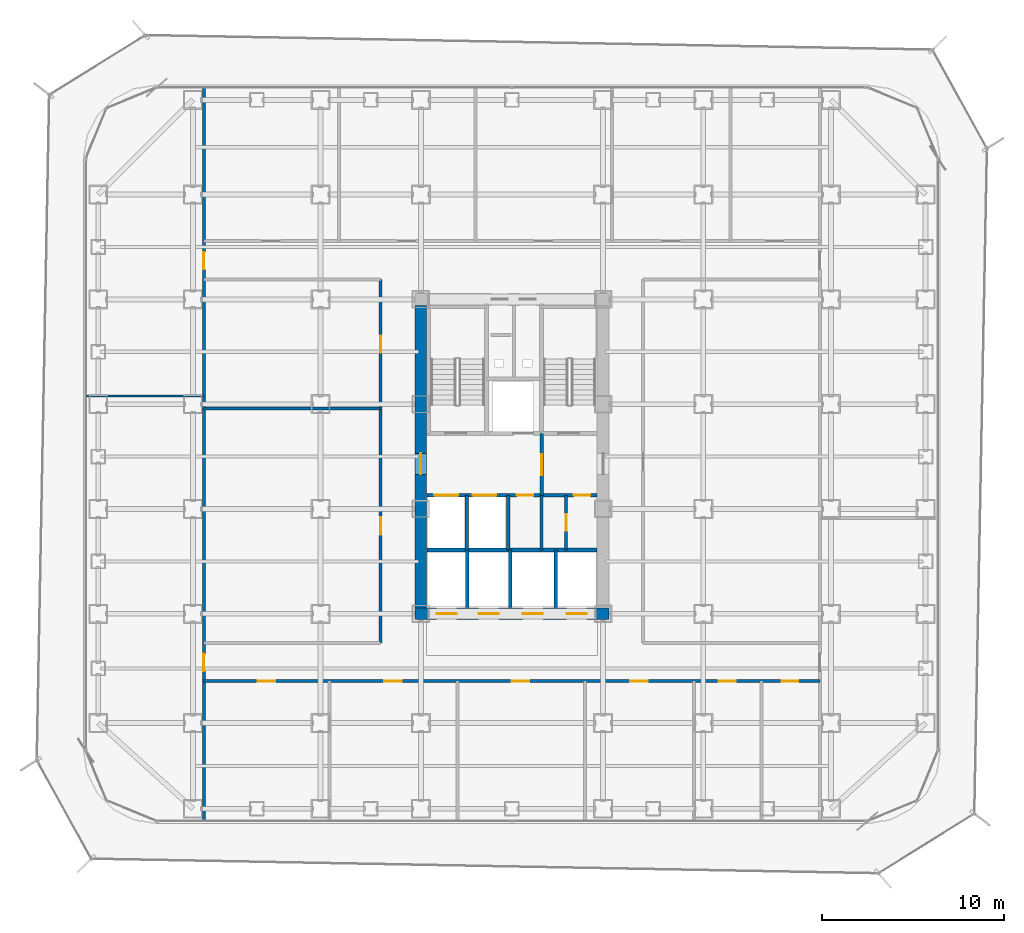
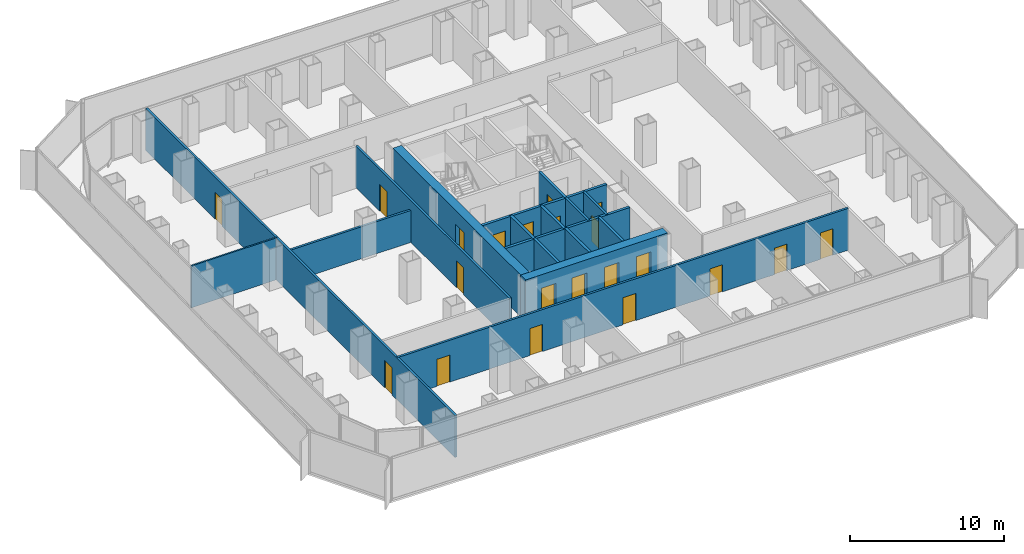
# One storey, part 17 of 22: 21 doors, 17 walls, 21 openings.
"""IFC4 building model written with IfcOpenShell, lengths in metres."""

from ifc_helpers import new_model, si_unit, direction, frame, frame_2d, origin, place, context, subcontext, project, spatial, rectangle, extrude, material, layer, layer_set, type_object, element, fill, save


model = new_model("IFC4")

# Units and contexts
model_context = context("Model", 3, precision=1e-05, world=origin(), true_north=direction((0.0, 1.0)))
body_context = subcontext(model_context, "Body", "Model", "MODEL_VIEW")
ifc_project = project(units=[si_unit("LENGTHUNIT", "METRE"), si_unit("AREAUNIT", "SQUARE_METRE"), si_unit("VOLUMEUNIT", "CUBIC_METRE"), si_unit("PLANEANGLEUNIT", "RADIAN"), si_unit("MASSUNIT", "GRAM", prefix="KILO")], contexts=[model_context])

# Site, building, storey
site_placement = place(None, origin())
site = spatial("IfcSite", under=ifc_project, at=site_placement, CompositionType="ELEMENT")
building_placement = place(site_placement, origin())
building = spatial("IfcBuilding", under=site, at=building_placement, Name="Kolveth Station Tower", CompositionType="ELEMENT")
storey_placement = place(building_placement, frame((0.0, 0.0, 81.0)))
storey = spatial("IfcBuildingStorey", under=building, at=storey_placement, Name="L21", CompositionType="ELEMENT", Elevation=81.0)

# Wall, openings, doors
ifc_material_1 = material(Name="Concrete C60/75", Category="concrete")
ifc_layer_1 = layer(ifc_material_1, 0.64990234375)
ifc_layer_set_1 = layer_set([ifc_layer_1], Name="Concrete C60/75")
wall_type_1 = type_object("IfcWallType", Name="Wall_CW-650", PredefinedType="SHEAR", material=ifc_layer_set_1)
wall_1_placement = place(storey_placement, frame((18.175048828125, 11.5, 0.0), z_axis=(0.0, 0.0, 1.0), x_axis=(1.0, 0.0, 0.0)))
wall_1 = element("IfcWall", 1, at=wall_1_placement, inside=storey, type_object=wall_type_1, Name="L21 Core RC Shear Wall S", PredefinedType="SHEAR", context=body_context, shape_type="SweptSolid", body=[
    extrude(rectangle(XDim=10.64990234375, YDim=0.64990234375, at=frame_2d((5.324951171875, 0.0))), origin(), (0.0, 0.0, 1.0), 3.320068359375),
])
opening_1_placement = place(wall_1_placement, frame((1.195068359375, 0.0, 0.0)))
opening_1 = element("IfcOpeningElement", 2, at=opening_1_placement, cuts=wall_1, Name="Opening LD1", PredefinedType="OPENING", context=body_context, shape_type="SweptSolid", body=[
    extrude(rectangle(XDim=1.10009765625, YDim=2.25, at=frame_2d((0.550048828125, 1.125))), frame((0.0, 0.3349609375, 0.0), z_axis=(0.0, -1.0, 0.0), x_axis=(1.0, 0.0, 0.0)), (0.0, 0.0, 1.0), 0.669921875),
])
opening_2_placement = place(wall_1_placement, frame((3.4951171875, 0.0, 0.0)))
opening_2 = element("IfcOpeningElement", 3, at=opening_2_placement, cuts=wall_1, Name="Opening LD1", PredefinedType="OPENING", context=body_context, shape_type="SweptSolid", body=[
    extrude(rectangle(XDim=1.10009765625, YDim=2.25, at=frame_2d((0.550048828125, 1.125))), frame((0.0, 0.3349609375, 0.0), z_axis=(0.0, -1.0, 0.0), x_axis=(1.0, 0.0, 0.0)), (0.0, 0.0, 1.0), 0.669921875),
])
opening_3_placement = place(wall_1_placement, frame((5.925048828125, 0.0, 0.0)))
opening_3 = element("IfcOpeningElement", 4, at=opening_3_placement, cuts=wall_1, Name="Opening LD1", PredefinedType="OPENING", context=body_context, shape_type="SweptSolid", body=[
    extrude(rectangle(XDim=1.10009765625, YDim=2.25, at=frame_2d((0.550048828125, 1.125))), frame((0.0, 0.3349609375, 0.0), z_axis=(0.0, -1.0, 0.0), x_axis=(1.0, 0.0, 0.0)), (0.0, 0.0, 1.0), 0.669921875),
])
opening_4_placement = place(wall_1_placement, frame((8.324951171875, 0.0, 0.0)))
opening_4 = element("IfcOpeningElement", 5, at=opening_4_placement, cuts=wall_1, Name="Opening LD1", PredefinedType="OPENING", context=body_context, shape_type="SweptSolid", body=[
    extrude(rectangle(XDim=1.10009765625, YDim=2.25, at=frame_2d((0.550048828125, 1.125))), frame((0.0, 0.3349609375, 0.0), z_axis=(0.0, -1.0, 0.0), x_axis=(1.0, 0.0, 0.0)), (0.0, 0.0, 1.0), 0.669921875),
])
ifc_material_2 = material(Name="Brushed stainless steel sliding landing doors", Category="steel")
door_type_1 = type_object("IfcDoorType", Name="Door_LD1", OperationType="NOTDEFINED", PredefinedType="DOOR", material=ifc_material_2)
door_1_placement = place(opening_1_placement, frame((1.10009765625, 0.0, 0.0), z_axis=(0.0, 0.0, 1.0), x_axis=(-1.0, 0.0, 0.0)))
door_1 = element("IfcDoor", 6, at=door_1_placement, inside=storey, type_object=door_type_1, Name="L21 Lift PL1 Landing Door", OperationType="DOUBLE_DOOR_SLIDING", OverallHeight=2.25, OverallWidth=1.10009765625, PredefinedType="DOOR", context=body_context, shape_type="SweptSolid", body=[
    extrude(rectangle(XDim=1.10009765625, YDim=2.25, at=frame_2d((0.550048828125, 1.125))), frame((0.0, 0.02490234375, 0.0), z_axis=(0.0, -1.0, 0.0), x_axis=(1.0, 0.0, 0.0)), (0.0, 0.0, 1.0), 0.050048828125),
])
fill(opening_1, door_1)
door_2_placement = place(opening_2_placement, frame((1.10009765625, 0.0, 0.0), z_axis=(0.0, 0.0, 1.0), x_axis=(-1.0, 0.0, 0.0)))
door_2 = element("IfcDoor", 7, at=door_2_placement, inside=storey, type_object=door_type_1, Name="L21 Lift PL2 Landing Door", OperationType="DOUBLE_DOOR_SLIDING", OverallHeight=2.25, OverallWidth=1.10009765625, PredefinedType="DOOR", context=body_context, shape_type="SweptSolid", body=[
    extrude(rectangle(XDim=1.10009765625, YDim=2.25, at=frame_2d((0.550048828125, 1.125))), frame((0.0, 0.02490234375, 0.0), z_axis=(0.0, -1.0, 0.0), x_axis=(1.0, 0.0, 0.0)), (0.0, 0.0, 1.0), 0.050048828125),
])
fill(opening_2, door_2)
door_3_placement = place(opening_3_placement, frame((1.10009765625, 0.0, 0.0), z_axis=(0.0, 0.0, 1.0), x_axis=(-1.0, 0.0, 0.0)))
door_3 = element("IfcDoor", 8, at=door_3_placement, inside=storey, type_object=door_type_1, Name="L21 Lift PM1 Landing Door", OperationType="DOUBLE_DOOR_SLIDING", OverallHeight=2.25, OverallWidth=1.10009765625, PredefinedType="DOOR", context=body_context, shape_type="SweptSolid", body=[
    extrude(rectangle(XDim=1.10009765625, YDim=2.25, at=frame_2d((0.550048828125, 1.125))), frame((0.0, 0.02490234375, 0.0), z_axis=(0.0, -1.0, 0.0), x_axis=(1.0, 0.0, 0.0)), (0.0, 0.0, 1.0), 0.050048828125),
])
fill(opening_3, door_3)
door_4_placement = place(opening_4_placement, frame((1.10009765625, 0.0, 0.0), z_axis=(0.0, 0.0, 1.0), x_axis=(-1.0, 0.0, 0.0)))
door_4 = element("IfcDoor", 9, at=door_4_placement, inside=storey, type_object=door_type_1, Name="L21 Lift PH1 Landing Door", OperationType="DOUBLE_DOOR_SLIDING", OverallHeight=2.25, OverallWidth=1.10009765625, PredefinedType="DOOR", context=body_context, shape_type="SweptSolid", body=[
    extrude(rectangle(XDim=1.10009765625, YDim=2.25, at=frame_2d((0.550048828125, 1.125))), frame((0.0, 0.02490234375, 0.0), z_axis=(0.0, -1.0, 0.0), x_axis=(1.0, 0.0, 0.0)), (0.0, 0.0, 1.0), 0.050048828125),
])
fill(opening_4, door_4)

# Wall, opening, door
wall_2_placement = place(storey_placement, frame((18.5, 11.824951171875, 0.0), z_axis=(0.0, 0.0, 1.0), x_axis=(0.0, 1.0, 0.0)))
wall_2 = element("IfcWall", 10, at=wall_2_placement, inside=storey, type_object=wall_type_1, Name="L21 Core RC Shear Wall W", PredefinedType="SHEAR", context=body_context, shape_type="SweptSolid", body=[
    extrude(rectangle(XDim=16.60009765625, YDim=0.64990234375, at=frame_2d((8.300048828125, 0.0))), origin(), (0.0, 0.0, 1.0), 3.320068359375),
])
opening_5_placement = place(wall_2_placement, frame((7.324951171875, 0.0, 0.0)))
opening_5 = element("IfcOpeningElement", 11, at=opening_5_placement, cuts=wall_2, Name="Opening FD1", PredefinedType="OPENING", context=body_context, shape_type="SweptSolid", body=[
    extrude(rectangle(XDim=1.14990234375, YDim=2.199951171875, at=frame_2d((0.574951171875, 1.10009765625))), frame((0.0, 0.3349609375, 0.0), z_axis=(0.0, -1.0, 0.0), x_axis=(1.0, 0.0, 0.0)), (0.0, 0.0, 1.0), 0.669921875),
])
ifc_material_3 = material(Name="Fire-rated Steel S355 leaf and frame", Category="steel")
door_type_2 = type_object("IfcDoorType", Name="Door_FD1", OperationType="NOTDEFINED", PredefinedType="DOOR", material=ifc_material_3)
door_5_placement = place(opening_5_placement, frame((1.14990234375, 0.0, 0.0), z_axis=(0.0, 0.0, 1.0), x_axis=(-1.0, 0.0, 0.0)))
door_5 = element("IfcDoor", 12, at=door_5_placement, inside=storey, type_object=door_type_2, Name="L21 West Corridor to Firefighting Lobby Door", OperationType="SINGLE_SWING_LEFT", OverallHeight=2.199951171875, OverallWidth=1.14990234375, PredefinedType="DOOR", context=body_context, shape_type="SweptSolid", body=[
    extrude(rectangle(XDim=1.14990234375, YDim=2.199951171875, at=frame_2d((0.574951171875, 1.10009765625))), frame((0.0, 0.02490234375, 0.0), z_axis=(0.0, -1.0, 0.0), x_axis=(1.0, 0.0, 0.0)), (0.0, 0.0, 1.0), 0.050048828125),
])
fill(opening_5, door_5)

# Walls
ifc_material_4 = material(Name="Framed gypsum partition")
ifc_layer_2 = layer(ifc_material_4, 0.114990234375)
ifc_layer_set_2 = layer_set([ifc_layer_2], Name="Framed gypsum partition")
wall_type_2 = type_object("IfcWallType", Name="Wall_IW-115", PredefinedType="PARTITIONING", material=ifc_layer_set_2)
wall_3_placement = place(storey_placement, frame((0.159912109375, 23.449951171875, 0.0), z_axis=(0.0, 0.0, 1.0), x_axis=(1.0, 0.0, 0.0)))
element("IfcWall", 13, at=wall_3_placement, inside=storey, type_object=wall_type_2, Name="L21 Partition Wall WL-L21-OWM", PredefinedType="PARTITIONING", context=body_context, shape_type="SweptSolid", body=[
    extrude(rectangle(XDim=6.440185546875, YDim=0.114990234375, at=frame_2d((3.22021484375, 0.0))), origin(), (0.0, 0.0, 1.0), 3.320068359375),
])
ifc_material_5 = material(Name="Acoustic double-stud gypsum partition")
ifc_layer_3 = layer(ifc_material_5, 0.1650390625)
ifc_layer_set_3 = layer_set([ifc_layer_3], Name="Acoustic double-stud gypsum partition")
wall_type_3 = type_object("IfcWallType", Name="Wall_IW-165", PredefinedType="PARTITIONING", material=ifc_layer_set_3)
wall_4_placement = place(storey_placement, frame((25.1298828125, 15.0, 0.0), z_axis=(0.0, 0.0, 1.0), x_axis=(0.0, 1.0, 0.0)))
element("IfcWall", 14, at=wall_4_placement, inside=storey, type_object=wall_type_3, Name="L21 Partition Wall WL-L21-CB-V3A", PredefinedType="PARTITIONING", context=body_context, shape_type="SweptSolid", body=[
    extrude(rectangle(XDim=3.0, YDim=0.1650390625, at=frame_2d((1.5, 0.0))), origin(), (0.0, 0.0, 1.0), 3.320068359375),
])

# Wall, opening, door
wall_5_placement = place(storey_placement, frame((26.47998046875, 15.0, 0.0), z_axis=(0.0, 0.0, 1.0), x_axis=(0.0, 1.0, 0.0)))
wall_5 = element("IfcWall", 15, at=wall_5_placement, inside=storey, type_object=wall_type_3, Name="L21 Partition Wall WL-L21-CB-V3B", PredefinedType="PARTITIONING", context=body_context, shape_type="SweptSolid", body=[
    extrude(rectangle(XDim=3.0, YDim=0.1650390625, at=frame_2d((1.5, 0.0))), origin(), (0.0, 0.0, 1.0), 3.320068359375),
])
opening_6_placement = place(wall_5_placement, frame((1.050048828125, 0.0, 0.0)))
opening_6 = element("IfcOpeningElement", 16, at=opening_6_placement, cuts=wall_5, Name="Opening RD1", PredefinedType="OPENING", context=body_context, shape_type="SweptSolid", body=[
    extrude(rectangle(XDim=0.89990234375, YDim=2.050048828125, at=frame_2d((0.449951171875, 1.02490234375))), frame((0.0, 0.092529296875, 0.0), z_axis=(0.0, -1.0, 0.0), x_axis=(1.0, 0.0, 0.0)), (0.0, 0.0, 1.0), 0.18505859375),
])
ifc_material_6 = material(Name="Fire-rated Steel S355 riser access leaf", Category="steel")
door_type_3 = type_object("IfcDoorType", Name="Door_RD1", OperationType="NOTDEFINED", PredefinedType="DOOR", material=ifc_material_6)
door_6_placement = place(opening_6_placement, origin())
door_6 = element("IfcDoor", 17, at=door_6_placement, inside=storey, type_object=door_type_3, Name="L21 Core Meter Closet Door", OperationType="SINGLE_SWING_RIGHT", OverallHeight=2.050048828125, OverallWidth=0.89990234375, PredefinedType="DOOR", context=body_context, shape_type="SweptSolid", body=[
    extrude(rectangle(XDim=0.89990234375, YDim=2.050048828125, at=frame_2d((0.449951171875, 1.02490234375))), frame((0.0, 0.02490234375, 0.0), z_axis=(0.0, -1.0, 0.0), x_axis=(1.0, 0.0, 0.0)), (0.0, 0.0, 1.0), 0.050048828125),
])
fill(opening_6, door_6)

# Wall, openings, doors
wall_6_placement = place(storey_placement, frame((6.60009765625, 7.800048828125, 0.0), z_axis=(0.0, 0.0, 1.0), x_axis=(1.0, 0.0, 0.0)))
wall_6 = element("IfcWall", 18, at=wall_6_placement, inside=storey, type_object=wall_type_3, Name="L21 Partition Wall WL-L21-OS", PredefinedType="PARTITIONING", context=body_context, shape_type="SweptSolid", body=[
    extrude(rectangle(XDim=33.7998046875, YDim=0.1650390625, at=frame_2d((16.89990234375, 0.0))), origin(), (0.0, 0.0, 1.0), 3.320068359375),
])
opening_7_placement = place(wall_6_placement, frame((2.949951171875, 0.0, 0.0)))
opening_7 = element("IfcOpeningElement", 19, at=opening_7_placement, cuts=wall_6, Name="Opening ID1", PredefinedType="OPENING", context=body_context, shape_type="SweptSolid", body=[
    extrude(rectangle(XDim=0.949951171875, YDim=2.14990234375, at=frame_2d((0.47509765625, 1.074951171875))), frame((0.0, 0.092529296875, 0.0), z_axis=(0.0, -1.0, 0.0), x_axis=(1.0, 0.0, 0.0)), (0.0, 0.0, 1.0), 0.18505859375),
])
opening_8_placement = place(wall_6_placement, frame((9.89990234375, 0.0, 0.0)))
opening_8 = element("IfcOpeningElement", 20, at=opening_8_placement, cuts=wall_6, Name="Opening ID1", PredefinedType="OPENING", context=body_context, shape_type="SweptSolid", body=[
    extrude(rectangle(XDim=0.949951171875, YDim=2.14990234375, at=frame_2d((0.47509765625, 1.074951171875))), frame((0.0, 0.092529296875, 0.0), z_axis=(0.0, -1.0, 0.0), x_axis=(1.0, 0.0, 0.0)), (0.0, 0.0, 1.0), 0.18505859375),
])
opening_9_placement = place(wall_6_placement, frame((16.89990234375, 0.0, 0.0)))
opening_9 = element("IfcOpeningElement", 21, at=opening_9_placement, cuts=wall_6, Name="Opening ID1", PredefinedType="OPENING", context=body_context, shape_type="SweptSolid", body=[
    extrude(rectangle(XDim=0.949951171875, YDim=2.14990234375, at=frame_2d((0.47509765625, 1.074951171875))), frame((0.0, 0.092529296875, 0.0), z_axis=(0.0, -1.0, 0.0), x_axis=(1.0, 0.0, 0.0)), (0.0, 0.0, 1.0), 0.18505859375),
])
opening_10_placement = place(wall_6_placement, frame((23.39990234375, 0.0, 0.0)))
opening_10 = element("IfcOpeningElement", 22, at=opening_10_placement, cuts=wall_6, Name="Opening ID1", PredefinedType="OPENING", context=body_context, shape_type="SweptSolid", body=[
    extrude(rectangle(XDim=0.949951171875, YDim=2.14990234375, at=frame_2d((0.47509765625, 1.074951171875))), frame((0.0, 0.092529296875, 0.0), z_axis=(0.0, -1.0, 0.0), x_axis=(1.0, 0.0, 0.0)), (0.0, 0.0, 1.0), 0.18505859375),
])
opening_11_placement = place(wall_6_placement, frame((28.25, 0.0, 0.0)))
opening_11 = element("IfcOpeningElement", 23, at=opening_11_placement, cuts=wall_6, Name="Opening ID2", PredefinedType="OPENING", context=body_context, shape_type="SweptSolid", body=[
    extrude(rectangle(XDim=0.919921875, YDim=2.10009765625, at=frame_2d((0.4599609375, 1.050048828125))), frame((0.0, 0.092529296875, 0.0), z_axis=(0.0, -1.0, 0.0), x_axis=(1.0, 0.0, 0.0)), (0.0, 0.0, 1.0), 0.18505859375),
])
opening_12_placement = place(wall_6_placement, frame((31.699951171875, 0.0, 0.0)))
opening_12 = element("IfcOpeningElement", 24, at=opening_12_placement, cuts=wall_6, Name="Opening ID2", PredefinedType="OPENING", context=body_context, shape_type="SweptSolid", body=[
    extrude(rectangle(XDim=0.919921875, YDim=2.10009765625, at=frame_2d((0.4599609375, 1.050048828125))), frame((0.0, 0.092529296875, 0.0), z_axis=(0.0, -1.0, 0.0), x_axis=(1.0, 0.0, 0.0)), (0.0, 0.0, 1.0), 0.18505859375),
])
ifc_material_7 = material(Name="Acoustic hardwood leaf and aluminium frame", Category="wood")
door_type_4 = type_object("IfcDoorType", Name="Door_ID1", OperationType="NOTDEFINED", PredefinedType="DOOR", material=ifc_material_7)
door_7_placement = place(opening_7_placement, frame((0.949951171875, 0.0, 0.0), z_axis=(0.0, 0.0, 1.0), x_axis=(-1.0, 0.0, 0.0)))
door_7 = element("IfcDoor", 25, at=door_7_placement, inside=storey, type_object=door_type_4, Name="L21 Wellness Treatment Room 1 Door", OperationType="SINGLE_SWING_RIGHT", OverallHeight=2.14990234375, OverallWidth=0.949951171875, PredefinedType="DOOR", context=body_context, shape_type="SweptSolid", body=[
    extrude(rectangle(XDim=0.949951171875, YDim=2.14990234375, at=frame_2d((0.47509765625, 1.074951171875))), frame((0.0, 0.02490234375, 0.0), z_axis=(0.0, -1.0, 0.0), x_axis=(1.0, 0.0, 0.0)), (0.0, 0.0, 1.0), 0.050048828125),
])
fill(opening_7, door_7)
door_8_placement = place(opening_8_placement, frame((0.949951171875, 0.0, 0.0), z_axis=(0.0, 0.0, 1.0), x_axis=(-1.0, 0.0, 0.0)))
door_8 = element("IfcDoor", 26, at=door_8_placement, inside=storey, type_object=door_type_4, Name="L21 Wellness Treatment Room 2 Door", OperationType="SINGLE_SWING_LEFT", OverallHeight=2.14990234375, OverallWidth=0.949951171875, PredefinedType="DOOR", context=body_context, shape_type="SweptSolid", body=[
    extrude(rectangle(XDim=0.949951171875, YDim=2.14990234375, at=frame_2d((0.47509765625, 1.074951171875))), frame((0.0, 0.02490234375, 0.0), z_axis=(0.0, -1.0, 0.0), x_axis=(1.0, 0.0, 0.0)), (0.0, 0.0, 1.0), 0.050048828125),
])
fill(opening_8, door_8)
door_9_placement = place(opening_9_placement, frame((0.949951171875, 0.0, 0.0), z_axis=(0.0, 0.0, 1.0), x_axis=(-1.0, 0.0, 0.0)))
door_9 = element("IfcDoor", 27, at=door_9_placement, inside=storey, type_object=door_type_4, Name="L21 Wellness Treatment Room 3 Door", OperationType="SINGLE_SWING_RIGHT", OverallHeight=2.14990234375, OverallWidth=0.949951171875, PredefinedType="DOOR", context=body_context, shape_type="SweptSolid", body=[
    extrude(rectangle(XDim=0.949951171875, YDim=2.14990234375, at=frame_2d((0.47509765625, 1.074951171875))), frame((0.0, 0.02490234375, 0.0), z_axis=(0.0, -1.0, 0.0), x_axis=(1.0, 0.0, 0.0)), (0.0, 0.0, 1.0), 0.050048828125),
])
fill(opening_9, door_9)
door_10_placement = place(opening_10_placement, frame((0.949951171875, 0.0, 0.0), z_axis=(0.0, 0.0, 1.0), x_axis=(-1.0, 0.0, 0.0)))
door_10 = element("IfcDoor", 28, at=door_10_placement, inside=storey, type_object=door_type_4, Name="L21 Executive Study 1 Door", OperationType="SINGLE_SWING_LEFT", OverallHeight=2.14990234375, OverallWidth=0.949951171875, PredefinedType="DOOR", context=body_context, shape_type="SweptSolid", body=[
    extrude(rectangle(XDim=0.949951171875, YDim=2.14990234375, at=frame_2d((0.47509765625, 1.074951171875))), frame((0.0, 0.02490234375, 0.0), z_axis=(0.0, -1.0, 0.0), x_axis=(1.0, 0.0, 0.0)), (0.0, 0.0, 1.0), 0.050048828125),
])
fill(opening_10, door_10)
ifc_material_8 = material(Name="Moisture-resistant hardwood leaf", Category="wood")
door_type_5 = type_object("IfcDoorType", Name="Door_ID2", OperationType="NOTDEFINED", PredefinedType="DOOR", material=ifc_material_8)
door_11_placement = place(opening_11_placement, frame((0.919921875, 0.0, 0.0), z_axis=(0.0, 0.0, 1.0), x_axis=(-1.0, 0.0, 0.0)))
door_11 = element("IfcDoor", 29, at=door_11_placement, inside=storey, type_object=door_type_5, Name="L21 Staff WC Door", OperationType="SINGLE_SWING_RIGHT", OverallHeight=2.10009765625, OverallWidth=0.919921875, PredefinedType="DOOR", context=body_context, shape_type="SweptSolid", body=[
    extrude(rectangle(XDim=0.919921875, YDim=2.10009765625, at=frame_2d((0.4599609375, 1.050048828125))), frame((0.0, 0.02490234375, 0.0), z_axis=(0.0, -1.0, 0.0), x_axis=(1.0, 0.0, 0.0)), (0.0, 0.0, 1.0), 0.050048828125),
])
fill(opening_11, door_11)
door_12_placement = place(opening_12_placement, frame((0.919921875, 0.0, 0.0), z_axis=(0.0, 0.0, 1.0), x_axis=(-1.0, 0.0, 0.0)))
door_12 = element("IfcDoor", 30, at=door_12_placement, inside=storey, type_object=door_type_5, Name="L21 Accessible WC Door", OperationType="SINGLE_SWING_LEFT", OverallHeight=2.10009765625, OverallWidth=0.919921875, PredefinedType="DOOR", context=body_context, shape_type="SweptSolid", body=[
    extrude(rectangle(XDim=0.919921875, YDim=2.10009765625, at=frame_2d((0.4599609375, 1.050048828125))), frame((0.0, 0.02490234375, 0.0), z_axis=(0.0, -1.0, 0.0), x_axis=(1.0, 0.0, 0.0)), (0.0, 0.0, 1.0), 0.050048828125),
])
fill(opening_12, door_12)

wall_7_placement = place(storey_placement, frame((16.300048828125, 9.89990234375, 0.0), z_axis=(0.0, 0.0, 1.0), x_axis=(0.0, 1.0, 0.0)))
wall_7 = element("IfcWall", 31, at=wall_7_placement, inside=storey, type_object=wall_type_3, Name="L21 Partition Wall WL-L21-OCW", PredefinedType="PARTITIONING", context=body_context, shape_type="SweptSolid", body=[
    extrude(rectangle(XDim=19.9501953125, YDim=0.1650390625, at=frame_2d((9.97509765625, 0.0))), origin(), (0.0, 0.0, 1.0), 3.320068359375),
])
opening_13_placement = place(wall_7_placement, frame((5.93701171875, 0.0, 0.0)))
opening_13 = element("IfcOpeningElement", 32, at=opening_13_placement, cuts=wall_7, Name="Opening ID1", PredefinedType="OPENING", context=body_context, shape_type="SweptSolid", body=[
    extrude(rectangle(XDim=0.949951171875, YDim=2.14990234375, at=frame_2d((0.47509765625, 1.074951171875))), frame((0.0, 0.092529296875, 0.0), z_axis=(0.0, -1.0, 0.0), x_axis=(1.0, 0.0, 0.0)), (0.0, 0.0, 1.0), 0.18505859375),
])
opening_14_placement = place(wall_7_placement, frame((15.910888671875, 0.0, 0.0)))
opening_14 = element("IfcOpeningElement", 33, at=opening_14_placement, cuts=wall_7, Name="Opening ID1", PredefinedType="OPENING", context=body_context, shape_type="SweptSolid", body=[
    extrude(rectangle(XDim=0.949951171875, YDim=2.14990234375, at=frame_2d((0.47509765625, 1.074951171875))), frame((0.0, 0.092529296875, 0.0), z_axis=(0.0, -1.0, 0.0), x_axis=(1.0, 0.0, 0.0)), (0.0, 0.0, 1.0), 0.18505859375),
])
door_13_placement = place(opening_13_placement, frame((0.949951171875, 0.0, 0.0), z_axis=(0.0, 0.0, 1.0), x_axis=(-1.0, 0.0, 0.0)))
door_13 = element("IfcDoor", 34, at=door_13_placement, inside=storey, type_object=door_type_4, Name="L21 Internal Meeting Room W1 Door", OperationType="SINGLE_SWING_LEFT", OverallHeight=2.14990234375, OverallWidth=0.949951171875, PredefinedType="DOOR", context=body_context, shape_type="SweptSolid", body=[
    extrude(rectangle(XDim=0.949951171875, YDim=2.14990234375, at=frame_2d((0.47509765625, 1.074951171875))), frame((0.0, 0.02490234375, 0.0), z_axis=(0.0, -1.0, 0.0), x_axis=(1.0, 0.0, 0.0)), (0.0, 0.0, 1.0), 0.050048828125),
])
fill(opening_13, door_13)
door_14_placement = place(opening_14_placement, frame((0.949951171875, 0.0, 0.0), z_axis=(0.0, 0.0, 1.0), x_axis=(-1.0, 0.0, 0.0)))
door_14 = element("IfcDoor", 35, at=door_14_placement, inside=storey, type_object=door_type_4, Name="L21 Print and Archive Room Door", OperationType="SINGLE_SWING_LEFT", OverallHeight=2.14990234375, OverallWidth=0.949951171875, PredefinedType="DOOR", context=body_context, shape_type="SweptSolid", body=[
    extrude(rectangle(XDim=0.949951171875, YDim=2.14990234375, at=frame_2d((0.47509765625, 1.074951171875))), frame((0.0, 0.02490234375, 0.0), z_axis=(0.0, -1.0, 0.0), x_axis=(1.0, 0.0, 0.0)), (0.0, 0.0, 1.0), 0.050048828125),
])
fill(opening_14, door_14)

wall_8_placement = place(storey_placement, frame((6.60009765625, 0.159912109375, 0.0), z_axis=(0.0, 0.0, 1.0), x_axis=(0.0, 1.0, 0.0)))
wall_8 = element("IfcWall", 36, at=wall_8_placement, inside=storey, type_object=wall_type_3, Name="L21 Partition Wall WL-L21-OWEND", PredefinedType="PARTITIONING", context=body_context, shape_type="SweptSolid", body=[
    extrude(rectangle(XDim=40.18017578125, YDim=0.1650390625, at=frame_2d((20.090087890625, 0.0))), origin(), (0.0, 0.0, 1.0), 3.320068359375),
])
opening_15_placement = place(wall_8_placement, frame((8.18994140625, 0.0, 0.0)))
opening_15 = element("IfcOpeningElement", 37, at=opening_15_placement, cuts=wall_8, Name="Opening ID1", PredefinedType="OPENING", context=body_context, shape_type="SweptSolid", body=[
    extrude(rectangle(XDim=0.949951171875, YDim=2.14990234375, at=frame_2d((0.47509765625, 1.074951171875))), frame((0.0, 0.092529296875, 0.0), z_axis=(0.0, -1.0, 0.0), x_axis=(1.0, 0.0, 0.0)), (0.0, 0.0, 1.0), 0.18505859375),
])
opening_16_placement = place(wall_8_placement, frame((30.239990234375, 0.0, 0.0)))
opening_16 = element("IfcOpeningElement", 38, at=opening_16_placement, cuts=wall_8, Name="Opening ID1", PredefinedType="OPENING", context=body_context, shape_type="SweptSolid", body=[
    extrude(rectangle(XDim=0.949951171875, YDim=2.14990234375, at=frame_2d((0.47509765625, 1.074951171875))), frame((0.0, 0.092529296875, 0.0), z_axis=(0.0, -1.0, 0.0), x_axis=(1.0, 0.0, 0.0)), (0.0, 0.0, 1.0), 0.18505859375),
])
door_15_placement = place(opening_15_placement, frame((0.949951171875, 0.0, 0.0), z_axis=(0.0, 0.0, 1.0), x_axis=(-1.0, 0.0, 0.0)))
door_15 = element("IfcDoor", 39, at=door_15_placement, inside=storey, type_object=door_type_4, Name="L21 West-South Wing Door", OperationType="SINGLE_SWING_LEFT", OverallHeight=2.14990234375, OverallWidth=0.949951171875, PredefinedType="DOOR", context=body_context, shape_type="SweptSolid", body=[
    extrude(rectangle(XDim=0.949951171875, YDim=2.14990234375, at=frame_2d((0.47509765625, 1.074951171875))), frame((0.0, 0.02490234375, 0.0), z_axis=(0.0, -1.0, 0.0), x_axis=(1.0, 0.0, 0.0)), (0.0, 0.0, 1.0), 0.050048828125),
])
fill(opening_15, door_15)
door_16_placement = place(opening_16_placement, frame((0.949951171875, 0.0, 0.0), z_axis=(0.0, 0.0, 1.0), x_axis=(-1.0, 0.0, 0.0)))
door_16 = element("IfcDoor", 40, at=door_16_placement, inside=storey, type_object=door_type_4, Name="L21 West-North Wing Door", OperationType="SINGLE_SWING_RIGHT", OverallHeight=2.14990234375, OverallWidth=0.949951171875, PredefinedType="DOOR", context=body_context, shape_type="SweptSolid", body=[
    extrude(rectangle(XDim=0.949951171875, YDim=2.14990234375, at=frame_2d((0.47509765625, 1.074951171875))), frame((0.0, 0.02490234375, 0.0), z_axis=(0.0, -1.0, 0.0), x_axis=(1.0, 0.0, 0.0)), (0.0, 0.0, 1.0), 0.050048828125),
])
fill(opening_16, door_16)

# Wall
wall_9_placement = place(storey_placement, frame((6.60009765625, 22.77294921875, 0.0), z_axis=(0.0, 0.0, 1.0), x_axis=(1.0, 0.0, 0.0)))
element("IfcWall", 41, at=wall_9_placement, inside=storey, type_object=wall_type_3, Name="L21 Partition Wall WL-L21-OIW-P1", PredefinedType="PARTITIONING", context=body_context, shape_type="SweptSolid", body=[
    extrude(rectangle(XDim=9.699951171875, YDim=0.1650390625, at=frame_2d((4.85009765625, 0.0))), origin(), (0.0, 0.0, 1.0), 2.5390625),
])

# Wall, opening, door
ifc_material_9 = material(Name="Acoustic fire-rated gypsum blockwork", Category="masonry")
ifc_layer_4 = layer(ifc_material_9, 0.199951171875)
ifc_layer_set_4 = layer_set([ifc_layer_4], Name="Acoustic fire-rated gypsum blockwork")
wall_type_4 = type_object("IfcWallType", Name="Wall_IW-200", PredefinedType="PARTITIONING", material=ifc_layer_set_4)
wall_10_placement = place(storey_placement, frame((25.1298828125, 18.0, 0.0), z_axis=(0.0, 0.0, 1.0), x_axis=(0.0, 1.0, 0.0)))
wall_10 = element("IfcWall", 42, at=wall_10_placement, inside=storey, type_object=wall_type_4, Name="L21 Partition Wall WL-L21-FFL-E", PredefinedType="PARTITIONING", context=body_context, shape_type="SweptSolid", body=[
    extrude(rectangle(XDim=3.389892578125, YDim=0.199951171875, at=frame_2d((1.69482421875, 0.0))), origin(), (0.0, 0.0, 1.0), 3.320068359375),
])
opening_17_placement = place(wall_10_placement, frame((1.10009765625, 0.0, 0.0)))
opening_17 = element("IfcOpeningElement", 43, at=opening_17_placement, cuts=wall_10, Name="Opening FD1", PredefinedType="OPENING", context=body_context, shape_type="SweptSolid", body=[
    extrude(rectangle(XDim=1.14990234375, YDim=2.199951171875, at=frame_2d((0.574951171875, 1.10009765625))), frame((0.0, 0.10986328125, 0.0), z_axis=(0.0, -1.0, 0.0), x_axis=(1.0, 0.0, 0.0)), (0.0, 0.0, 1.0), 0.219970703125),
])
door_17_placement = place(opening_17_placement, origin())
door_17 = element("IfcDoor", 44, at=door_17_placement, inside=storey, type_object=door_type_2, Name="L21 Firefighting to Stair Lobby Door", OperationType="SINGLE_SWING_RIGHT", OverallHeight=2.199951171875, OverallWidth=1.14990234375, PredefinedType="DOOR", context=body_context, shape_type="SweptSolid", body=[
    extrude(rectangle(XDim=1.14990234375, YDim=2.199951171875, at=frame_2d((0.574951171875, 1.10009765625))), frame((0.0, 0.02490234375, 0.0), z_axis=(0.0, -1.0, 0.0), x_axis=(1.0, 0.0, 0.0)), (0.0, 0.0, 1.0), 0.050048828125),
])
fill(opening_17, door_17)

# Wall, openings, doors
wall_11_placement = place(storey_placement, frame((18.8349609375, 18.0, 0.0), z_axis=(0.0, 0.0, 1.0), x_axis=(1.0, 0.0, 0.0)))
wall_11 = element("IfcWall", 45, at=wall_11_placement, inside=storey, type_object=wall_type_4, Name="L21 Partition Wall WL-L21-FFL-S", PredefinedType="PARTITIONING", context=body_context, shape_type="SweptSolid", body=[
    extrude(rectangle(XDim=9.330078125, YDim=0.199951171875, at=frame_2d((4.6650390625, 0.0))), origin(), (0.0, 0.0, 1.0), 3.320068359375),
])
opening_18_placement = place(wall_11_placement, frame((0.4150390625, 0.0, 0.0)))
opening_18 = element("IfcOpeningElement", 46, at=opening_18_placement, cuts=wall_11, Name="Opening LD2", PredefinedType="OPENING", context=body_context, shape_type="SweptSolid", body=[
    extrude(rectangle(XDim=1.300048828125, YDim=2.300048828125, at=frame_2d((0.64990234375, 1.14990234375))), frame((0.0, 0.10986328125, 0.0), z_axis=(0.0, -1.0, 0.0), x_axis=(1.0, 0.0, 0.0)), (0.0, 0.0, 1.0), 0.219970703125),
])
opening_19_placement = place(wall_11_placement, frame((2.514892578125, 0.0, 0.0)))
opening_19 = element("IfcOpeningElement", 47, at=opening_19_placement, cuts=wall_11, Name="Opening LD2", PredefinedType="OPENING", context=body_context, shape_type="SweptSolid", body=[
    extrude(rectangle(XDim=1.300048828125, YDim=2.300048828125, at=frame_2d((0.64990234375, 1.14990234375))), frame((0.0, 0.10986328125, 0.0), z_axis=(0.0, -1.0, 0.0), x_axis=(1.0, 0.0, 0.0)), (0.0, 0.0, 1.0), 0.219970703125),
])
opening_20_placement = place(wall_11_placement, frame((4.93505859375, 0.0, 0.0)))
opening_20 = element("IfcOpeningElement", 48, at=opening_20_placement, cuts=wall_11, Name="Opening RD1", PredefinedType="OPENING", context=body_context, shape_type="SweptSolid", body=[
    extrude(rectangle(XDim=0.89990234375, YDim=2.050048828125, at=frame_2d((0.449951171875, 1.02490234375))), frame((0.0, 0.10986328125, 0.0), z_axis=(0.0, -1.0, 0.0), x_axis=(1.0, 0.0, 0.0)), (0.0, 0.0, 1.0), 0.219970703125),
])
opening_21_placement = place(wall_11_placement, frame((8.06494140625, 0.0, 0.0)))
opening_21 = element("IfcOpeningElement", 49, at=opening_21_placement, cuts=wall_11, Name="Opening RD1", PredefinedType="OPENING", context=body_context, shape_type="SweptSolid", body=[
    extrude(rectangle(XDim=0.89990234375, YDim=2.050048828125, at=frame_2d((0.449951171875, 1.02490234375))), frame((0.0, 0.10986328125, 0.0), z_axis=(0.0, -1.0, 0.0), x_axis=(1.0, 0.0, 0.0)), (0.0, 0.0, 1.0), 0.219970703125),
])
ifc_material_10 = material(Name="Firefighting stainless steel sliding landing doors", Category="steel")
door_type_6 = type_object("IfcDoorType", Name="Door_LD2", OperationType="NOTDEFINED", PredefinedType="DOOR", material=ifc_material_10)
door_18_placement = place(opening_18_placement, origin())
door_18 = element("IfcDoor", 50, at=door_18_placement, inside=storey, type_object=door_type_6, Name="L21 Firefighting Lift FF1 Landing Door", OperationType="DOUBLE_DOOR_SLIDING", OverallHeight=2.300048828125, OverallWidth=1.300048828125, PredefinedType="DOOR", context=body_context, shape_type="SweptSolid", body=[
    extrude(rectangle(XDim=1.300048828125, YDim=2.300048828125, at=frame_2d((0.64990234375, 1.14990234375))), frame((0.0, 0.02490234375, 0.0), z_axis=(0.0, -1.0, 0.0), x_axis=(1.0, 0.0, 0.0)), (0.0, 0.0, 1.0), 0.050048828125),
])
fill(opening_18, door_18)
door_19_placement = place(opening_19_placement, origin())
door_19 = element("IfcDoor", 51, at=door_19_placement, inside=storey, type_object=door_type_6, Name="L21 Firefighting Lift FF2 Landing Door", OperationType="DOUBLE_DOOR_SLIDING", OverallHeight=2.300048828125, OverallWidth=1.300048828125, PredefinedType="DOOR", context=body_context, shape_type="SweptSolid", body=[
    extrude(rectangle(XDim=1.300048828125, YDim=2.300048828125, at=frame_2d((0.64990234375, 1.14990234375))), frame((0.0, 0.02490234375, 0.0), z_axis=(0.0, -1.0, 0.0), x_axis=(1.0, 0.0, 0.0)), (0.0, 0.0, 1.0), 0.050048828125),
])
fill(opening_19, door_19)
door_20_placement = place(opening_20_placement, frame((0.89990234375, 0.0, 0.0), z_axis=(0.0, 0.0, 1.0), x_axis=(-1.0, 0.0, 0.0)))
door_20 = element("IfcDoor", 52, at=door_20_placement, inside=storey, type_object=door_type_3, Name="L21 Core Staff WC Door", OperationType="SINGLE_SWING_LEFT", OverallHeight=2.050048828125, OverallWidth=0.89990234375, PredefinedType="DOOR", context=body_context, shape_type="SweptSolid", body=[
    extrude(rectangle(XDim=0.89990234375, YDim=2.050048828125, at=frame_2d((0.449951171875, 1.02490234375))), frame((0.0, 0.02490234375, 0.0), z_axis=(0.0, -1.0, 0.0), x_axis=(1.0, 0.0, 0.0)), (0.0, 0.0, 1.0), 0.050048828125),
])
fill(opening_20, door_20)
door_21_placement = place(opening_21_placement, frame((0.89990234375, 0.0, 0.0), z_axis=(0.0, 0.0, 1.0), x_axis=(-1.0, 0.0, 0.0)))
door_21 = element("IfcDoor", 53, at=door_21_placement, inside=storey, type_object=door_type_3, Name="L21 Core Janitor Store Door", OperationType="SINGLE_SWING_LEFT", OverallHeight=2.050048828125, OverallWidth=0.89990234375, PredefinedType="DOOR", context=body_context, shape_type="SweptSolid", body=[
    extrude(rectangle(XDim=0.89990234375, YDim=2.050048828125, at=frame_2d((0.449951171875, 1.02490234375))), frame((0.0, 0.02490234375, 0.0), z_axis=(0.0, -1.0, 0.0), x_axis=(1.0, 0.0, 0.0)), (0.0, 0.0, 1.0), 0.050048828125),
])
fill(opening_21, door_21)

# Walls
for number, where, z_axis, x_axis, name in (
    (54, (21.02001953125, 15.0, 0.0), (0.0, 0.0, 1.0), (0.0, 1.0, 0.0), "L21 Partition Wall WL-L21-FF12"),
    (55, (23.300048828125, 15.0, 0.0), (0.0, 0.0, 1.0), (0.0, 1.0, 0.0), "L21 Partition Wall WL-L21-FF2E"),
):
    element("IfcWall", number, at=place(storey_placement, frame(where, z_axis=z_axis, x_axis=x_axis)), inside=storey, type_object=wall_type_4, Name=name, PredefinedType="PARTITIONING", context=body_context, shape_type="SweptSolid", body=[
        extrude(rectangle(XDim=3.0, YDim=0.199951171875, at=frame_2d((1.5, 0.0))), origin(), (0.0, 0.0, 1.0), 3.320068359375),
    ])
wall_12_placement = place(storey_placement, frame((18.8349609375, 15.0, 0.0), z_axis=(0.0, 0.0, 1.0), x_axis=(1.0, 0.0, 0.0)))
element("IfcWall", 56, at=wall_12_placement, inside=storey, type_object=wall_type_4, Name="L21 Partition Wall WL-L21-BOH-S", PredefinedType="PARTITIONING", context=body_context, shape_type="SweptSolid", body=[
    extrude(rectangle(XDim=9.330078125, YDim=0.199951171875, at=frame_2d((4.6650390625, 0.0))), origin(), (0.0, 0.0, 1.0), 3.320068359375),
])
for number, where, z_axis, x_axis, name in (
    (57, (21.050048828125, 11.8349609375, 0.0), (0.0, 0.0, 1.0), (0.0, 1.0, 0.0), "L21 Partition Wall WL-L21-PL12"),
    (58, (23.39990234375, 11.8349609375, 0.0), (0.0, 0.0, 1.0), (0.0, 1.0, 0.0), "L21 Partition Wall WL-L21-PL2E"),
    (59, (25.89990234375, 11.8349609375, 0.0), (0.0, 0.0, 1.0), (0.0, 1.0, 0.0), "L21 Partition Wall WL-L21-PMPH"),
):
    element("IfcWall", number, at=place(storey_placement, frame(where, z_axis=z_axis, x_axis=x_axis)), inside=storey, type_object=wall_type_4, Name=name, PredefinedType="PARTITIONING", context=body_context, shape_type="SweptSolid", body=[
        extrude(rectangle(XDim=3.1650390625, YDim=0.199951171875, at=frame_2d((1.58251953125, 0.0))), origin(), (0.0, 0.0, 1.0), 3.320068359375),
    ])

save(model, "model.ifc")
